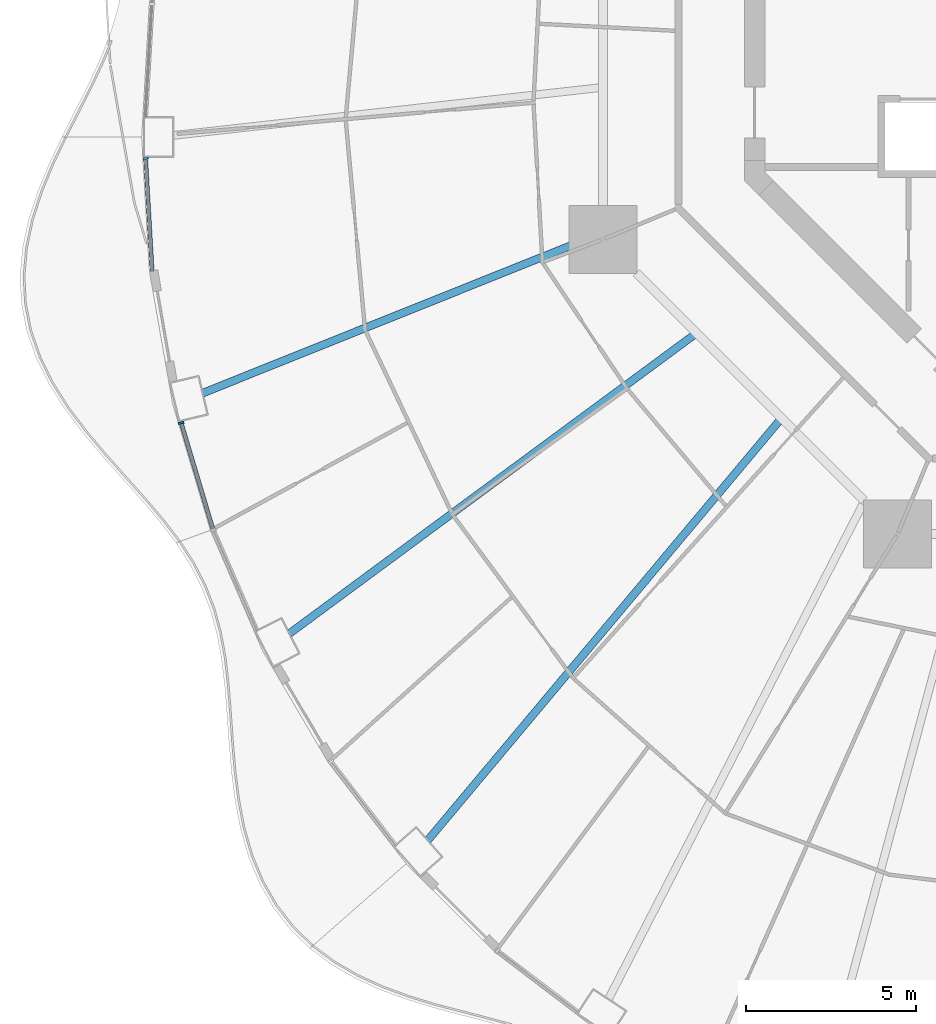
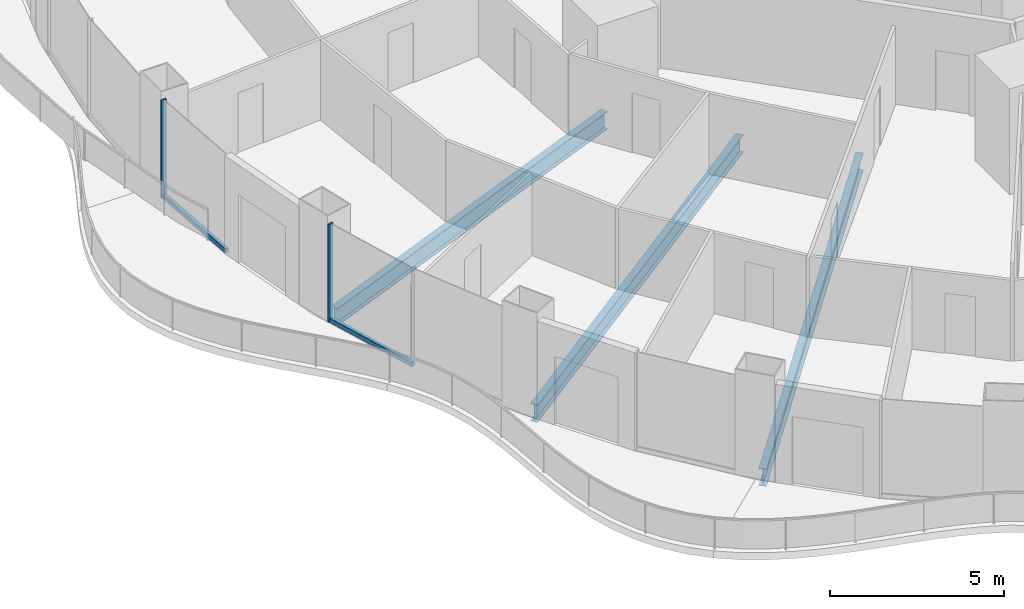
# One storey, part 3 of 20: 4 members, 3 beams, 2 elements without a shape of their own.
"""IFC4 building model written with IfcOpenShell, lengths in metres."""

from ifc_helpers import new_model, si_unit, direction, frame, origin, origin_2d, place, context, subcontext, project, spatial, rectangle, i_section, extrude, material, layer, layer_set, material_profile, profile_set, type_object, element, aggregate, save


model = new_model("IFC4")

# Units and contexts
model_context = context("Model", 3, precision=1e-05, world=origin(), true_north=direction((0.0, 1.0)))
body_context = subcontext(model_context, "Body", "Model", "MODEL_VIEW")
ifc_project = project(units=[si_unit("LENGTHUNIT", "METRE"), si_unit("AREAUNIT", "SQUARE_METRE"), si_unit("VOLUMEUNIT", "CUBIC_METRE"), si_unit("PLANEANGLEUNIT", "RADIAN"), si_unit("MASSUNIT", "GRAM", prefix="KILO")], contexts=[model_context])

# Site, building, storey
site_placement = place(None, origin())
site = spatial("IfcSite", under=ifc_project, at=site_placement, CompositionType="ELEMENT")
building_placement = place(site_placement, origin())
building = spatial("IfcBuilding", under=site, at=building_placement, Name="Nagisa Residences", CompositionType="ELEMENT")
storey_placement = place(building_placement, frame((0.0, 0.0, 119.60009765625)))
storey = spatial("IfcBuildingStorey", under=building, at=storey_placement, Name="L29", CompositionType="ELEMENT", Elevation=119.60009765625)

# Curtain wall, member
ifc_material_1 = material(Name="Concrete-coloured aluminium curtain wall system", Category="concrete")
ifc_layer = layer(ifc_material_1, 0.159912109375)
ifc_layer_set = layer_set([ifc_layer], Name="CW1 CURTAIN WALL")
curtain_wall_type = type_object("IfcCurtainWallType", Name="CW1 CURTAIN WALL", PredefinedType="NOTDEFINED", material=ifc_layer_set)
curtain_wall_1_placement = place(storey_placement, origin())
curtain_wall_1 = element("IfcCurtainWall", 1, at=curtain_wall_1_placement, inside=storey, type_object=curtain_wall_type, Name="cw:CW1:L29:24", PredefinedType="NOTDEFINED")
ifc_material_2 = material(Name="Concrete-coloured aluminium", Category="concrete")
ifc_material_profile_1 = material_profile(ifc_material_2, rectangle(XDim=0.159912109375, YDim=0.06005859375, at=origin_2d()), Name="CW1 MULLION 160x60")
ifc_profile_set_1 = profile_set([ifc_material_profile_1], Name="Concrete-coloured aluminium")
member_type_1 = type_object("IfcMemberType", Name="CW1 MULLION 160x60", PredefinedType="MULLION", material=ifc_profile_set_1)
member_1_placement = place(storey_placement, frame((-28.218994140625, -3.741943359375, 0.0), z_axis=(0.0, 0.0, 1.0), x_axis=(0.998345305184, 0.057503492216, 0.0)))
member_1 = element("IfcMember", 2, at=member_1_placement, type_object=member_type_1, Name="CW1 mullion", PredefinedType="MULLION", context=body_context, shape_type="SweptSolid", body=[
    extrude(rectangle(XDim=0.159912109375, YDim=0.06005859375, at=origin_2d()), origin(), (0.0, 0.0, 1.0), 3.43994140625),
])

curtain_wall_2_placement = place(storey_placement, origin())
curtain_wall_2 = element("IfcCurtainWall", 3, at=curtain_wall_2_placement, inside=storey, type_object=curtain_wall_type, Name="cw:CW1:L29:26", PredefinedType="NOTDEFINED")
member_2_placement = place(storey_placement, frame((-27.174072265625, -11.513671875, 0.0), z_axis=(0.0, 0.0, 1.0), x_axis=(0.958271310082, 0.285860274038, 0.0)))
member_2 = element("IfcMember", 4, at=member_2_placement, type_object=member_type_1, Name="CW1 mullion", PredefinedType="MULLION", context=body_context, shape_type="SweptSolid", body=[
    extrude(rectangle(XDim=0.159912109375, YDim=0.06005859375, at=origin_2d()), origin(), (0.0, 0.0, 1.0), 3.43994140625),
])

# Member
ifc_material_3 = material(Name="Concrete-coloured aluminium", Category="concrete")
ifc_material_profile_2 = material_profile(ifc_material_3, rectangle(XDim=0.1201171875, YDim=0.14990234375, at=origin_2d()), Name="CW1 TRANSOM 120x150")
ifc_profile_set_2 = profile_set([ifc_material_profile_2], Name="Concrete-coloured aluminium")
member_type_2 = type_object("IfcMemberType", Name="CW1 TRANSOM 120x150", PredefinedType="USERDEFINED", material=ifc_profile_set_2)
member_3_placement = place(storey_placement, frame((-28.220703125, -3.712158203125, 0.074951171875), z_axis=(0.057537829427, -0.998343326809, 0.0), x_axis=(0.998343326809, 0.057537829427, 0.0)))
member_3 = element("IfcMember", 5, at=member_3_placement, type_object=member_type_2, Name="CW1 transom", ObjectType="TRANSOM", PredefinedType="USERDEFINED", context=body_context, shape_type="SweptSolid", body=[
    extrude(rectangle(XDim=0.1201171875, YDim=0.14990234375, at=origin_2d()), origin(), (0.0, 0.0, 1.0), 3.347900390625),
])

aggregate(curtain_wall_1, [member_1, member_3])

member_4_placement = place(storey_placement, frame((-27.1826171875, -11.48486328125, 0.074951171875), z_axis=(0.285842038783, -0.958276749621, 0.0), x_axis=(0.958276749621, 0.285842038783, 0.0)))
member_4 = element("IfcMember", 6, at=member_4_placement, type_object=member_type_2, Name="CW1 transom", ObjectType="TRANSOM", PredefinedType="USERDEFINED", context=body_context, shape_type="SweptSolid", body=[
    extrude(rectangle(XDim=0.1201171875, YDim=0.14990234375, at=origin_2d()), origin(), (0.0, 0.0, 1.0), 3.302734375),
])

aggregate(curtain_wall_2, [member_2, member_4])

# Beams
ifc_material_4 = material(Name="Steel ASTM A572 Gr 50", Category="steel")
ifc_material_profile_3 = material_profile(ifc_material_4, i_section(OverallWidth=0.22900390625, OverallDepth=0.612060546875, WebThickness=0.011962890625, FlangeThickness=0.01953125, at=origin_2d()), Name="W610x125")
ifc_profile_set_3 = profile_set([ifc_material_profile_3], Name="Steel ASTM A572 Gr 50")
beam_type = type_object("IfcBeamType", Name="Radial beam W610x125", PredefinedType="BEAM", material=ifc_profile_set_3)
beam_1_placement = place(storey_placement, frame((-26.5439453125, -10.641357421875, -0.566162109375), z_axis=(0.928186733156, 0.372114751648, 0.0), x_axis=(-0.372114751648, 0.928186733156, 0.0)))
element("IfcBeam", 7, at=beam_1_placement, inside=storey, type_object=beam_type, Name="beam:L29:rb14", PredefinedType="BEAM", context=body_context, shape_type="SweptSolid", body=[
    extrude(i_section(OverallWidth=0.22900390625, OverallDepth=0.612060546875, WebThickness=0.011962890625, FlangeThickness=0.01953125, at=origin_2d()), origin(), (0.0, 0.0, 1.0), 12.554931640625),
])
beam_2_placement = place(storey_placement, frame((-23.995849609375, -17.7060546875, -0.566162109375), z_axis=(0.804660796299, 0.59373479172, 0.0), x_axis=(-0.59373479172, 0.804660796299, 0.0)))
element("IfcBeam", 8, at=beam_2_placement, inside=storey, type_object=beam_type, Name="beam:L29:rb15", PredefinedType="BEAM", context=body_context, shape_type="SweptSolid", body=[
    extrude(i_section(OverallWidth=0.22900390625, OverallDepth=0.612060546875, WebThickness=0.011962890625, FlangeThickness=0.01953125, at=origin_2d()), origin(), (0.0, 0.0, 1.0), 14.763427734375),
])
beam_3_placement = place(storey_placement, frame((-19.929931640625, -23.78173828125, -0.566162109375), z_axis=(0.642300860107, 0.766452611128, 0.0), x_axis=(-0.766452611128, 0.642300860107, 0.0)))
element("IfcBeam", 9, at=beam_3_placement, inside=storey, type_object=beam_type, Name="beam:L29:rb16", PredefinedType="BEAM", context=body_context, shape_type="SweptSolid", body=[
    extrude(i_section(OverallWidth=0.22900390625, OverallDepth=0.612060546875, WebThickness=0.011962890625, FlangeThickness=0.01953125, at=origin_2d()), origin(), (0.0, 0.0, 1.0), 16.081787109375),
])

save(model, "model.ifc")
